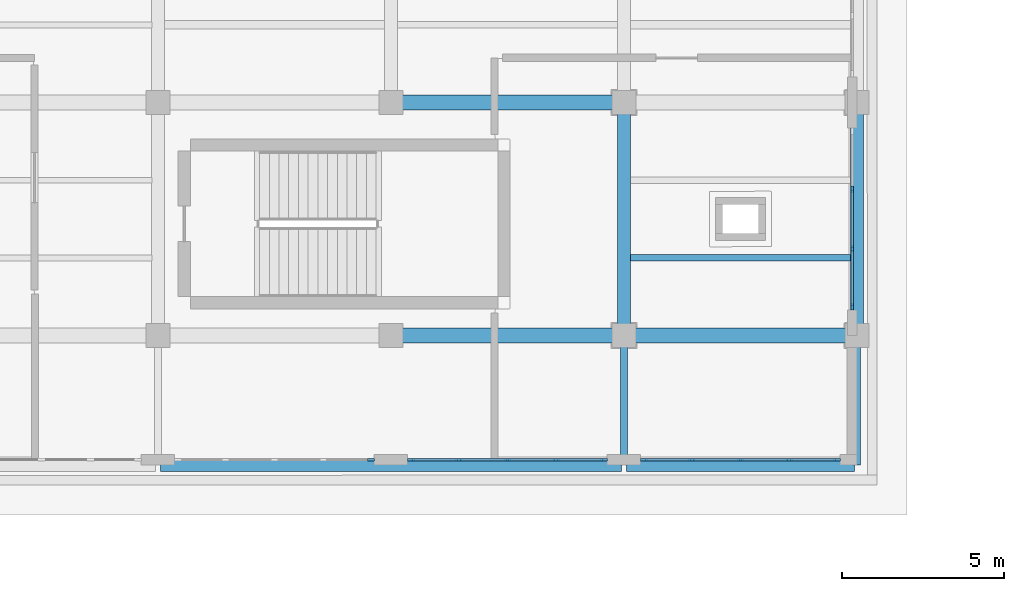
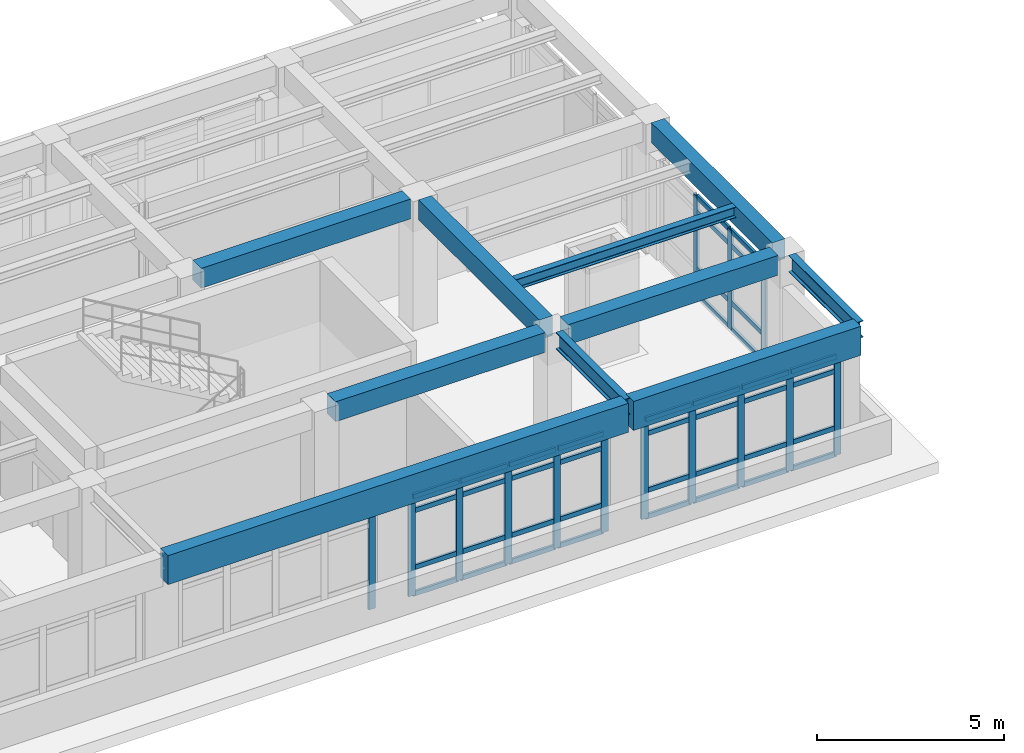
# One storey, part 12 of 64: 54 members, 10 beams, 4 elements without a shape of their own.
"""IFC4 building model written with IfcOpenShell, lengths in metres."""

import ifcopenshell
import ifcopenshell.guid

model = None  # the IFC model being written
_history = None  # IfcOwnerHistory: only IFC2X3 demands one
_inside = {}  # id of a spatial element -> (the spatial element, [elements in it])
_under = {}  # id of a project, library or spatial element -> (it, [spatial elements below it])
_declared = {}  # id of a project -> (the project, [libraries it declares])
_typed = {}  # id of a type object -> (the type object, [elements of that type])
_made_of = {}  # id of a material, layer set ... -> (it, [elements and type objects made of it])


def new_model(schema):
    """Start an empty IFC model of exactly this schema.

    Asked for "IFC4X3", IfcOpenShell would pick the latest addendum, in which some entities
    have other attributes; the version numbers below select the first issue.
    IFC2X3 requires an IfcOwnerHistory on every rooted entity: one is made here for all.
    """
    global model, _history
    if schema == "IFC4X3":
        model = ifcopenshell.file(schema_version=(4, 3, 0, 0))
    else:
        model = ifcopenshell.file(schema=schema)
    _inside.clear()
    _under.clear()
    _declared.clear()
    _typed.clear()
    _made_of.clear()
    _history = None
    if model.schema == "IFC2X3":
        org = make("IfcOrganization", Name="unknown")
        user = make(
            "IfcPersonAndOrganization",
            ThePerson=make("IfcPerson", FamilyName="unknown"),
            TheOrganization=org,
        )
        app = make(
            "IfcApplication",
            ApplicationDeveloper=org,
            Version="unknown",
            ApplicationFullName="unknown",
            ApplicationIdentifier="unknown",
        )
        _history = make(
            "IfcOwnerHistory",
            OwningUser=user,
            OwningApplication=app,
            ChangeAction="ADDED",
            CreationDate=0,
        )
    return model


def make(cls, **values):
    """One entity of the class cls with the attributes given. An attribute that is None is left unset."""
    return model.create_entity(
        cls, **{name: value for name, value in values.items() if value is not None}
    )


def rooted(cls, **values):
    """An entity with a GlobalId (a new one), such as an element, a storey or a relation."""
    return make(cls, GlobalId=ifcopenshell.guid.new(), OwnerHistory=_history, **values)


def si_unit(unit_type, name, prefix=None):
    """IfcSIUnit, for example si_unit("LENGTHUNIT", "METRE", prefix="MILLI")."""
    return make("IfcSIUnit", UnitType=unit_type, Prefix=prefix, Name=name)


def assignment(units):
    """IfcUnitAssignment: the units of a project."""
    return None if units is None else make("IfcUnitAssignment", Units=units)


def point(xyz):
    """IfcCartesianPoint."""
    return None if xyz is None else make("IfcCartesianPoint", Coordinates=xyz)


def direction(xyz):
    """IfcDirection."""
    return None if xyz is None else make("IfcDirection", DirectionRatios=xyz)


def frame(location, z_axis=None, x_axis=None):
    """IfcAxis2Placement3D, a coordinate frame: its origin and axes. An axis left out is left unset."""
    return make(
        "IfcAxis2Placement3D",
        Location=point(location),
        Axis=direction(z_axis),
        RefDirection=direction(x_axis),
    )


def frame_2d(location, x_axis=None):
    """IfcAxis2Placement2D, a coordinate frame in the plane: its origin and x axis."""
    return make(
        "IfcAxis2Placement2D", Location=point(location), RefDirection=direction(x_axis)
    )


def origin():
    """The frame at (0, 0, 0) with its axes left unset."""
    return frame((0.0, 0.0, 0.0))


def origin_2d():
    """The frame at (0, 0) in the plane with its x axis left unset."""
    return frame_2d((0.0, 0.0))


def place(relative_to, where):
    """IfcLocalPlacement: puts the frame where relative to a parent placement (None: the world)."""
    return make(
        "IfcLocalPlacement", PlacementRelTo=relative_to, RelativePlacement=where
    )


def context(
    kind, dimensions, precision=None, world=None, true_north=None, identifier=None
):
    """IfcGeometricRepresentationContext, for example the 3D "Model" context."""
    return make(
        "IfcGeometricRepresentationContext",
        ContextIdentifier=identifier,
        ContextType=kind,
        CoordinateSpaceDimension=dimensions,
        Precision=precision,
        WorldCoordinateSystem=world,
        TrueNorth=true_north,
    )


def subcontext(parent, identifier, kind, view, scale=None):
    """IfcGeometricRepresentationSubContext, for example "Body" below "Model"."""
    return make(
        "IfcGeometricRepresentationSubContext",
        ContextIdentifier=identifier,
        ContextType=kind,
        ParentContext=parent,
        TargetScale=scale,
        TargetView=view,
    )


def project(units=None, contexts=None):
    """IfcProject with its units and contexts."""
    return rooted(
        "IfcProject",
        Name="project",
        RepresentationContexts=contexts,
        UnitsInContext=assignment(units),
    )


def spatial(cls, under=None, at=None, **own):
    """A site, building, storey or space (cls), placed at a placement, below another one or the project."""
    s = rooted(cls, ObjectPlacement=at, **own)
    if under is not None:
        _under.setdefault(under.id(), (under, []))[1].append(s)
    return s


def profile(cls, at=None, kind="AREA", **sizes):
    """A parametric profile (cls). Its sizes go by their IFC names, for example OverallWidth=200.0."""
    return make(cls, ProfileType=kind, Position=at, **sizes)


def rectangle(**sizes):
    """IfcRectangleProfileDef."""
    return profile("IfcRectangleProfileDef", **sizes)


def i_section(**sizes):
    """IfcIShapeProfileDef."""
    return profile("IfcIShapeProfileDef", **sizes)


def extrude(swept, where, along, depth):
    """IfcExtrudedAreaSolid: the profile swept, set in the frame where, extruded along a direction by depth."""
    return make(
        "IfcExtrudedAreaSolid",
        SweptArea=swept,
        Position=where,
        ExtrudedDirection=direction(along),
        Depth=depth,
    )


def shape(context_of_items, identifier, shape_type, items):
    """IfcShapeRepresentation: the items that make up one representation, for example the "Body"."""
    return make(
        "IfcShapeRepresentation",
        ContextOfItems=context_of_items,
        RepresentationIdentifier=identifier,
        RepresentationType=shape_type,
        Items=items,
    )


def material(Name=None, Category=None):
    """IfcMaterial."""
    return make("IfcMaterial", Name=Name, Category=Category)


def layer(
    of_material, thickness, ventilated=None, Name=None, Category=None, Priority=None
):
    """IfcMaterialLayer: one layer of a wall or slab, of a material (None: an air gap)."""
    return make(
        "IfcMaterialLayer",
        Material=of_material,
        LayerThickness=thickness,
        IsVentilated=ventilated,
        Name=Name,
        Category=Category,
        Priority=Priority,
    )


def layer_set(layers, Name=None):
    """IfcMaterialLayerSet."""
    return make("IfcMaterialLayerSet", MaterialLayers=layers, LayerSetName=Name)


def material_profile(
    of_material, cross_section, Name=None, Category=None, Priority=None
):
    """IfcMaterialProfile: a cross section and its material."""
    return make(
        "IfcMaterialProfile",
        Name=Name,
        Material=of_material,
        Profile=cross_section,
        Priority=Priority,
        Category=Category,
    )


def profile_set(profiles, Name=None, composite=None):
    """IfcMaterialProfileSet."""
    return make(
        "IfcMaterialProfileSet",
        Name=Name,
        MaterialProfiles=profiles,
        CompositeProfile=composite,
    )


def made_of(thing, what):
    """Note that an element or type object is made of a material, layer set ...; save() writes the relation."""
    if what is not None:
        _made_of.setdefault(what.id(), (what, []))[1].append(thing)
    return thing


def type_object(cls, material=None, **own):
    """A type object (cls), such as IfcWallType, which elements share."""
    return made_of(rooted(cls, **own), material)


def element(
    cls,
    number,
    at=None,
    inside=None,
    cuts=None,
    type_object=None,
    material=None,
    context=None,
    identifier="Body",
    shape_type=None,
    held_by="IfcProductDefinitionShape",
    body=None,
    shapes=None,
    **own,
):
    """One element of the class cls, such as IfcWall. Its Tag is "e" and its number.

    at: its placement. inside: the storey or other place that contains it. cuts: it is an
    opening in that element (IfcRelVoidsElement). A single representation is given by context,
    identifier, shape_type and body (its items); several are given by shapes. held_by: the class
    of the entity that holds the representations. save() writes the other relations.
    """
    e = rooted(cls, Tag="e%d" % number, ObjectPlacement=at, **own)
    if body is not None:
        shapes = [shape(context, identifier, shape_type, body)]
    if shapes is not None:
        e.Representation = make(held_by, Representations=shapes)
    if inside is not None:
        _inside.setdefault(inside.id(), (inside, []))[1].append(e)
    if cuts is not None:
        rooted(
            "IfcRelVoidsElement", RelatingBuildingElement=cuts, RelatedOpeningElement=e
        )
    if type_object is not None:
        _typed.setdefault(type_object.id(), (type_object, []))[1].append(e)
    return made_of(e, material)


def aggregate(whole, parts):
    """IfcRelAggregates: a whole, such as a stair, and the parts it consists of."""
    return rooted("IfcRelAggregates", RelatingObject=whole, RelatedObjects=parts)


def save(model, path):
    """Write the relations noted so far, then the file.

    IfcRelAggregates (storeys below a building ...), IfcRelContainedInSpatialStructure (elements
    in a storey), IfcRelDefinesByType, IfcRelAssociatesMaterial and IfcRelDeclares: one each for
    every whole, place, type object, material and project.
    """
    for whole, parts in _under.values():
        aggregate(whole, parts)
    for where, things in _inside.values():
        rooted(
            "IfcRelContainedInSpatialStructure",
            RelatedElements=things,
            RelatingStructure=where,
        )
    for kind, things in _typed.values():
        rooted("IfcRelDefinesByType", RelatedObjects=things, RelatingType=kind)
    for what, things in _made_of.values():
        rooted("IfcRelAssociatesMaterial", RelatedObjects=things, RelatingMaterial=what)
    for by, libraries in _declared.values():
        rooted("IfcRelDeclares", RelatingContext=by, RelatedDefinitions=libraries)
    model.write(path)


model = new_model("IFC4")

# Units and contexts
model_context = context("Model", 3, precision=1e-05, world=origin(), true_north=direction((0.0, 1.0)))
body_context = subcontext(model_context, "Body", "Model", "MODEL_VIEW")
ifc_project = project(units=[si_unit("LENGTHUNIT", "METRE"), si_unit("AREAUNIT", "SQUARE_METRE"), si_unit("VOLUMEUNIT", "CUBIC_METRE"), si_unit("PLANEANGLEUNIT", "RADIAN"), si_unit("MASSUNIT", "GRAM", prefix="KILO")], contexts=[model_context])

# Site, building, storey
site_placement = place(None, origin())
site = spatial("IfcSite", under=ifc_project, at=site_placement, CompositionType="ELEMENT")
building_placement = place(site_placement, origin())
building = spatial("IfcBuilding", under=site, at=building_placement, Name="Solenvale Faculty of Natural Sciences", CompositionType="ELEMENT")
storey_placement = place(building_placement, frame((0.0, 0.0, 18.0)))
storey = spatial("IfcBuildingStorey", under=building, at=storey_placement, Name="L04", CompositionType="ELEMENT", Elevation=18.0)

# Beams
ifc_material_1 = material(Name="Concrete 40 MPa", Category="concrete")
ifc_material_profile_1 = material_profile(ifc_material_1, rectangle(XDim=0.39990234375, YDim=0.64990234375, at=origin_2d()), Name="RC-BM-400x650")
ifc_profile_set_1 = profile_set([ifc_material_profile_1], Name="Concrete 40 MPa")
beam_type_1 = type_object("IfcBeamType", Name="BM-RC-400x650", PredefinedType="BEAM", material=ifc_profile_set_1)
for number, where, z_axis, x_axis, name in (
    (1, (108.0, 21.955078125, 3.89501953125), (0.0, 1.0, 0.0), (-1.0, 0.0, 0.0), "L04 Y-Girder X108.0 (21.6..28.8)"),
    (2, (115.199951171875, 21.955078125, 3.89501953125), (0.0, 1.0, 0.0), (-1.0, 0.0, 0.0), "L04 Y-Girder X115.2 (21.6..28.8)"),
):
    element("IfcBeam", number, at=place(storey_placement, frame(where, z_axis=z_axis, x_axis=x_axis)), inside=storey, type_object=beam_type_1, Name=name, PredefinedType="BEAM", context=body_context, shape_type="SweptSolid", body=[
        extrude(rectangle(XDim=0.39990234375, YDim=0.64990234375, at=origin_2d()), origin(), (0.0, 0.0, 1.0), 6.489990234375),
    ])
ifc_material_profile_2 = material_profile(ifc_material_1, rectangle(XDim=0.449951171875, YDim=0.64990234375, at=origin_2d()), Name="RC-BM-450x650")
ifc_profile_set_2 = profile_set([ifc_material_profile_2], Name="Concrete 40 MPa")
beam_type_2 = type_object("IfcBeamType", Name="BM-RC-450x650", PredefinedType="BEAM", material=ifc_profile_set_2)
for number, where, z_axis, x_axis, name in (
    (3, (101.155029296875, 21.60009765625, 3.89501953125), (1.0, 0.0, 0.0), (0.0, 1.0, 0.0), "L04 X-Girder Y21.6 (100.8..108.0)"),
    (4, (108.35498046875, 21.60009765625, 3.89501953125), (1.0, 0.0, 0.0), (0.0, 1.0, 0.0), "L04 X-Girder Y21.6 (108.0..115.2)"),
    (5, (101.155029296875, 28.800048828125, 3.89501953125), (1.0, 0.0, 0.0), (0.0, 1.0, 0.0), "L04 X-Girder Y28.8 (100.8..108.0)"),
):
    element("IfcBeam", number, at=place(storey_placement, frame(where, z_axis=z_axis, x_axis=x_axis)), inside=storey, type_object=beam_type_2, Name=name, PredefinedType="BEAM", context=body_context, shape_type="SweptSolid", body=[
        extrude(rectangle(XDim=0.449951171875, YDim=0.64990234375, at=origin_2d()), origin(), (0.0, 0.0, 1.0), 6.489990234375),
    ])
ifc_material_2 = material(Name="Architectural bronze concrete 40 MPa", Category="concrete")
ifc_material_profile_3 = material_profile(ifc_material_2, rectangle(XDim=0.39990234375, YDim=0.949951171875, at=origin_2d()), Name="RC-SPN-400x950")
ifc_profile_set_3 = profile_set([ifc_material_profile_3], Name="Architectural bronze concrete 40 MPa")
beam_type_3 = type_object("IfcBeamType", Name="BM-SPN-BRZ-950", PredefinedType="SPANDREL", material=ifc_profile_set_3)
beam_1_placement = place(storey_placement, frame((93.679931640625, 17.60009765625, 3.7451171875), z_axis=(1.0, 0.0, 0.0), x_axis=(0.0, 1.0, 0.0)))
element("IfcBeam", 6, at=beam_1_placement, inside=storey, type_object=beam_type_3, Name="L05 Sliding-Tray South Bronze Fascia 5", PredefinedType="SPANDREL", context=body_context, shape_type="SweptSolid", body=[
    extrude(rectangle(XDim=0.39990234375, YDim=0.949951171875, at=origin_2d()), origin(), (0.0, 0.0, 1.0), 14.239990234375),
])
beam_2_placement = place(storey_placement, frame((108.080078125, 17.60009765625, 3.7451171875), z_axis=(1.0, 0.0, 0.0), x_axis=(0.0, 1.0, 0.0)))
element("IfcBeam", 7, at=beam_2_placement, inside=storey, type_object=beam_type_3, Name="L05 Sliding-Tray South Bronze Fascia 6", PredefinedType="SPANDREL", context=body_context, shape_type="SweptSolid", body=[
    extrude(rectangle(XDim=0.39990234375, YDim=0.949951171875, at=origin_2d()), origin(), (0.0, 0.0, 1.0), 7.0400390625),
])
ifc_material_3 = material(Name="Steel S355", Category="steel")
ifc_material_profile_4 = material_profile(ifc_material_3, i_section(OverallWidth=0.2041015625, OverallDepth=0.35009765625, WebThickness=0.008544921875, FlangeThickness=0.01513671875, FilletRadius=0.014892578125, at=origin_2d()), Name="W360x72")
ifc_profile_set_4 = profile_set([ifc_material_profile_4], Name="Steel S355")
beam_type_4 = type_object("IfcBeamType", Name="BM-STL-W360x72", PredefinedType="JOIST", material=ifc_profile_set_4)
beam_3_placement = place(storey_placement, frame((108.179931640625, 24.0, 4.044921875), z_axis=(1.0, 0.0, 0.0), x_axis=(0.0, 1.0, 0.0)))
element("IfcBeam", 8, at=beam_3_placement, inside=storey, type_object=beam_type_4, Name="L04 Composite Floor Joist (16,4).1", PredefinedType="JOIST", context=body_context, shape_type="SweptSolid", body=[
    extrude(i_section(OverallWidth=0.2041015625, OverallDepth=0.35009765625, WebThickness=0.008544921875, FlangeThickness=0.01513671875, FilletRadius=0.014892578125, at=origin_2d()), origin(), (0.0, 0.0, 1.0), 6.840087890625),
])
ifc_material_profile_5 = material_profile(ifc_material_3, i_section(OverallWidth=0.2119140625, OverallDepth=0.5439453125, WebThickness=0.01318359375, FlangeThickness=0.021240234375, FilletRadius=0.01904296875, at=origin_2d()), Name="W530x123")
ifc_profile_set_5 = profile_set([ifc_material_profile_5], Name="Steel S355")
beam_type_5 = type_object("IfcBeamType", Name="BM-STL-W530x123", PredefinedType="BEAM", material=ifc_profile_set_5)
for number, where, z_axis, x_axis, name in (
    (9, (108.0, 21.2451171875, 3.947998046875), (0.0, -1.0, 0.0), (1.0, 0.0, 0.0), "L04 V4 Cantilever Tray Girder X108.0"),
    (10, (115.199951171875, 21.2451171875, 3.947998046875), (0.0, -1.0, 0.0), (1.0, 0.0, 0.0), "L04 V4 Cantilever Tray Girder X115.2"),
):
    element("IfcBeam", number, at=place(storey_placement, frame(where, z_axis=z_axis, x_axis=x_axis)), inside=storey, type_object=beam_type_5, Name=name, PredefinedType="BEAM", context=body_context, shape_type="SweptSolid", body=[
        extrude(i_section(OverallWidth=0.2119140625, OverallDepth=0.5439453125, WebThickness=0.01318359375, FlangeThickness=0.021240234375, FilletRadius=0.01904296875, at=origin_2d()), origin(), (0.0, 0.0, 1.0), 3.64501953125),
    ])

# Curtain wall, member
ifc_material_4 = material(Name="Anodised bronze aluminium", Category="aluminium")
ifc_layer_1 = layer(ifc_material_4, 0.18994140625)
ifc_layer_set_1 = layer_set([ifc_layer_1], Name="Anodised bronze aluminium")
curtain_wall_type_1 = type_object("IfcCurtainWallType", Name="CW-TRAY-REC", PredefinedType="USERDEFINED", material=ifc_layer_set_1)
curtain_wall_1_placement = place(storey_placement, origin())
curtain_wall_1 = element("IfcCurtainWall", 11, at=curtain_wall_1_placement, inside=storey, type_object=curtain_wall_type_1, Name="L04 Curtain Wall CW-L04-P1-E6-B6", ObjectType="UNITISED CURTAIN WALL", PredefinedType="USERDEFINED")
ifc_material_profile_6 = material_profile(ifc_material_4, rectangle(XDim=0.074951171875, YDim=0.2099609375, at=origin_2d()), Name="ALU-MUL-75x210")
ifc_profile_set_6 = profile_set([ifc_material_profile_6], Name="Anodised bronze aluminium")
member_type_1 = type_object("IfcMemberType", Name="CWM-ALU-75x210", PredefinedType="MULLION", material=ifc_profile_set_6)
member_1_placement = place(storey_placement, frame((100.1826171875, 17.762451171875, 0.0), z_axis=(0.0, 0.0, 1.0), x_axis=(0.0, 1.0, 0.0)))
member_1 = element("IfcMember", 12, at=member_1_placement, type_object=member_type_1, Name="CW-02 mullion 5", PredefinedType="MULLION", context=body_context, shape_type="SweptSolid", body=[
    extrude(rectangle(XDim=0.074951171875, YDim=0.2099609375, at=origin_2d()), origin(), (0.0, 0.0, 1.0), 3.260009765625),
])
aggregate(curtain_wall_1, [member_1])

# Curtain wall, members
curtain_wall_2_placement = place(storey_placement, origin())
curtain_wall_2 = element("IfcCurtainWall", 13, at=curtain_wall_2_placement, inside=storey, type_object=curtain_wall_type_1, Name="L04 Curtain Wall CW-L04-P1-E6-B7", ObjectType="UNITISED CURTAIN WALL", PredefinedType="USERDEFINED")
member_2_placement = place(storey_placement, frame((101.41748046875, 17.762451171875, 0.0), z_axis=(0.0, 0.0, 1.0), x_axis=(0.0, 1.0, 0.0)))
member_2 = element("IfcMember", 14, at=member_2_placement, type_object=member_type_1, Name="CW-02 mullion 1", PredefinedType="MULLION", context=body_context, shape_type="SweptSolid", body=[
    extrude(rectangle(XDim=0.074951171875, YDim=0.2099609375, at=origin_2d()), origin(), (0.0, 0.0, 1.0), 3.260009765625),
])
member_3_placement = place(storey_placement, frame((102.889892578125, 17.762451171875, 0.0), z_axis=(0.0, 0.0, 1.0), x_axis=(0.0, 1.0, 0.0)))
member_3 = element("IfcMember", 15, at=member_3_placement, type_object=member_type_1, Name="CW-02 mullion 2", PredefinedType="MULLION", context=body_context, shape_type="SweptSolid", body=[
    extrude(rectangle(XDim=0.074951171875, YDim=0.2099609375, at=origin_2d()), origin(), (0.0, 0.0, 1.0), 3.260009765625),
])
member_4_placement = place(storey_placement, frame((104.39990234375, 17.762451171875, 0.0), z_axis=(0.0, 0.0, 1.0), x_axis=(0.0, 1.0, 0.0)))
member_4 = element("IfcMember", 16, at=member_4_placement, type_object=member_type_1, Name="CW-02 mullion 3", PredefinedType="MULLION", context=body_context, shape_type="SweptSolid", body=[
    extrude(rectangle(XDim=0.074951171875, YDim=0.2099609375, at=origin_2d()), origin(), (0.0, 0.0, 1.0), 3.260009765625),
])
member_5_placement = place(storey_placement, frame((105.909912109375, 17.762451171875, 0.0), z_axis=(0.0, 0.0, 1.0), x_axis=(0.0, 1.0, 0.0)))
member_5 = element("IfcMember", 17, at=member_5_placement, type_object=member_type_1, Name="CW-02 mullion 4", PredefinedType="MULLION", context=body_context, shape_type="SweptSolid", body=[
    extrude(rectangle(XDim=0.074951171875, YDim=0.2099609375, at=origin_2d()), origin(), (0.0, 0.0, 1.0), 3.260009765625),
])
member_6_placement = place(storey_placement, frame((107.382568359375, 17.762451171875, 0.0), z_axis=(0.0, 0.0, 1.0), x_axis=(0.0, 1.0, 0.0)))
member_6 = element("IfcMember", 18, at=member_6_placement, type_object=member_type_1, Name="CW-02 mullion 5", PredefinedType="MULLION", context=body_context, shape_type="SweptSolid", body=[
    extrude(rectangle(XDim=0.074951171875, YDim=0.2099609375, at=origin_2d()), origin(), (0.0, 0.0, 1.0), 3.260009765625),
])

curtain_wall_3_placement = place(storey_placement, origin())
curtain_wall_3 = element("IfcCurtainWall", 19, at=curtain_wall_3_placement, inside=storey, type_object=curtain_wall_type_1, Name="L04 Curtain Wall CW-L04-P1-E6-B8", ObjectType="UNITISED CURTAIN WALL", PredefinedType="USERDEFINED")
member_7_placement = place(storey_placement, frame((108.617431640625, 17.762451171875, 0.0), z_axis=(0.0, 0.0, 1.0), x_axis=(0.0, 1.0, 0.0)))
member_7 = element("IfcMember", 20, at=member_7_placement, type_object=member_type_1, Name="CW-02 mullion 1", PredefinedType="MULLION", context=body_context, shape_type="SweptSolid", body=[
    extrude(rectangle(XDim=0.074951171875, YDim=0.2099609375, at=origin_2d()), origin(), (0.0, 0.0, 1.0), 3.260009765625),
])
member_8_placement = place(storey_placement, frame((110.090087890625, 17.762451171875, 0.0), z_axis=(0.0, 0.0, 1.0), x_axis=(0.0, 1.0, 0.0)))
member_8 = element("IfcMember", 21, at=member_8_placement, type_object=member_type_1, Name="CW-02 mullion 2", PredefinedType="MULLION", context=body_context, shape_type="SweptSolid", body=[
    extrude(rectangle(XDim=0.074951171875, YDim=0.2099609375, at=origin_2d()), origin(), (0.0, 0.0, 1.0), 3.260009765625),
])
member_9_placement = place(storey_placement, frame((111.60009765625, 17.762451171875, 0.0), z_axis=(0.0, 0.0, 1.0), x_axis=(0.0, 1.0, 0.0)))
member_9 = element("IfcMember", 22, at=member_9_placement, type_object=member_type_1, Name="CW-02 mullion 3", PredefinedType="MULLION", context=body_context, shape_type="SweptSolid", body=[
    extrude(rectangle(XDim=0.074951171875, YDim=0.2099609375, at=origin_2d()), origin(), (0.0, 0.0, 1.0), 3.260009765625),
])
member_10_placement = place(storey_placement, frame((113.110107421875, 17.762451171875, 0.0), z_axis=(0.0, 0.0, 1.0), x_axis=(0.0, 1.0, 0.0)))
member_10 = element("IfcMember", 23, at=member_10_placement, type_object=member_type_1, Name="CW-02 mullion 4", PredefinedType="MULLION", context=body_context, shape_type="SweptSolid", body=[
    extrude(rectangle(XDim=0.074951171875, YDim=0.2099609375, at=origin_2d()), origin(), (0.0, 0.0, 1.0), 3.260009765625),
])
member_11_placement = place(storey_placement, frame((114.58251953125, 17.762451171875, 0.0), z_axis=(0.0, 0.0, 1.0), x_axis=(0.0, 1.0, 0.0)))
member_11 = element("IfcMember", 24, at=member_11_placement, type_object=member_type_1, Name="CW-02 mullion 5", PredefinedType="MULLION", context=body_context, shape_type="SweptSolid", body=[
    extrude(rectangle(XDim=0.074951171875, YDim=0.2099609375, at=origin_2d()), origin(), (0.0, 0.0, 1.0), 3.260009765625),
])

ifc_layer_2 = layer(ifc_material_4, 0.179931640625)
ifc_layer_set_2 = layer_set([ifc_layer_2], Name="Anodised bronze aluminium")
curtain_wall_type_2 = type_object("IfcCurtainWallType", Name="CW-TWR-MOD", PredefinedType="USERDEFINED", material=ifc_layer_set_2)
curtain_wall_4_placement = place(storey_placement, origin())
curtain_wall_4 = element("IfcCurtainWall", 25, at=curtain_wall_4_placement, inside=storey, type_object=curtain_wall_type_2, Name="L04 Curtain Wall CW-L04-P1-E7-B2", ObjectType="UNITISED CURTAIN WALL", PredefinedType="USERDEFINED")
member_12_placement = place(storey_placement, frame((115.0576171875, 22.487548828125, 0.0), z_axis=(0.0, 0.0, 1.0), x_axis=(-1.0, 0.0, 0.0)))
member_12 = element("IfcMember", 26, at=member_12_placement, type_object=member_type_1, Name="CW-04 mullion 1", PredefinedType="MULLION", context=body_context, shape_type="SweptSolid", body=[
    extrude(rectangle(XDim=0.074951171875, YDim=0.2099609375, at=origin_2d()), origin(), (0.0, 0.0, 1.0), 3.260009765625),
])
member_13_placement = place(storey_placement, frame((115.0576171875, 24.283447265625, 0.0), z_axis=(0.0, 0.0, 1.0), x_axis=(-1.0, 0.0, 0.0)))
member_13 = element("IfcMember", 27, at=member_13_placement, type_object=member_type_1, Name="CW-04 mullion 2", PredefinedType="MULLION", context=body_context, shape_type="SweptSolid", body=[
    extrude(rectangle(XDim=0.074951171875, YDim=0.2099609375, at=origin_2d()), origin(), (0.0, 0.0, 1.0), 3.260009765625),
])
member_14_placement = place(storey_placement, frame((115.0576171875, 26.11669921875, 0.0), z_axis=(0.0, 0.0, 1.0), x_axis=(-1.0, 0.0, 0.0)))
member_14 = element("IfcMember", 28, at=member_14_placement, type_object=member_type_1, Name="CW-04 mullion 3", PredefinedType="MULLION", context=body_context, shape_type="SweptSolid", body=[
    extrude(rectangle(XDim=0.074951171875, YDim=0.2099609375, at=origin_2d()), origin(), (0.0, 0.0, 1.0), 3.260009765625),
])

# Member
ifc_material_profile_7 = material_profile(ifc_material_4, rectangle(XDim=0.074951171875, YDim=0.155029296875, at=origin_2d()), Name="ALU-TRN-75x155")
ifc_profile_set_7 = profile_set([ifc_material_profile_7], Name="Anodised bronze aluminium")
member_type_2 = type_object("IfcMemberType", Name="CWT-ALU-75x155", PredefinedType="USERDEFINED", material=ifc_profile_set_7)
member_15_placement = place(storey_placement, frame((101.455078125, 17.762451171875, 0.03759765625), z_axis=(1.0, 0.0, 0.0), x_axis=(0.0, 1.0, 0.0)))
member_15 = element("IfcMember", 29, at=member_15_placement, type_object=member_type_2, Name="CW-02 transom 1.1", ObjectType="TRANSOM", PredefinedType="USERDEFINED", context=body_context, shape_type="SweptSolid", body=[
    extrude(rectangle(XDim=0.074951171875, YDim=0.155029296875, at=origin_2d()), origin(), (0.0, 0.0, 1.0), 1.3974609375),
])

member_16_placement = place(storey_placement, frame((101.455078125, 17.762451171875, 0.89990234375), z_axis=(1.0, 0.0, 0.0), x_axis=(0.0, 1.0, 0.0)))
member_16 = element("IfcMember", 30, at=member_16_placement, type_object=member_type_2, Name="CW-02 transom 1.2", ObjectType="TRANSOM", PredefinedType="USERDEFINED", context=body_context, shape_type="SweptSolid", body=[
    extrude(rectangle(XDim=0.074951171875, YDim=0.155029296875, at=origin_2d()), origin(), (0.0, 0.0, 1.0), 1.3974609375),
])

member_17_placement = place(storey_placement, frame((101.455078125, 17.762451171875, 2.760009765625), z_axis=(1.0, 0.0, 0.0), x_axis=(0.0, 1.0, 0.0)))
member_17 = element("IfcMember", 31, at=member_17_placement, type_object=member_type_2, Name="CW-02 transom 1.3", ObjectType="TRANSOM", PredefinedType="USERDEFINED", context=body_context, shape_type="SweptSolid", body=[
    extrude(rectangle(XDim=0.074951171875, YDim=0.155029296875, at=origin_2d()), origin(), (0.0, 0.0, 1.0), 1.3974609375),
])

member_18_placement = place(storey_placement, frame((101.455078125, 17.762451171875, 3.222412109375), z_axis=(1.0, 0.0, 0.0), x_axis=(0.0, 1.0, 0.0)))
member_18 = element("IfcMember", 32, at=member_18_placement, type_object=member_type_2, Name="CW-02 transom 1.4", ObjectType="TRANSOM", PredefinedType="USERDEFINED", context=body_context, shape_type="SweptSolid", body=[
    extrude(rectangle(XDim=0.074951171875, YDim=0.155029296875, at=origin_2d()), origin(), (0.0, 0.0, 1.0), 1.3974609375),
])

member_19_placement = place(storey_placement, frame((102.927490234375, 17.762451171875, 0.03759765625), z_axis=(1.0, 0.0, 0.0), x_axis=(0.0, 1.0, 0.0)))
member_19 = element("IfcMember", 33, at=member_19_placement, type_object=member_type_2, Name="CW-02 transom 2.1", ObjectType="TRANSOM", PredefinedType="USERDEFINED", context=body_context, shape_type="SweptSolid", body=[
    extrude(rectangle(XDim=0.074951171875, YDim=0.155029296875, at=origin_2d()), origin(), (0.0, 0.0, 1.0), 1.43505859375),
])

member_20_placement = place(storey_placement, frame((102.927490234375, 17.762451171875, 0.89990234375), z_axis=(1.0, 0.0, 0.0), x_axis=(0.0, 1.0, 0.0)))
member_20 = element("IfcMember", 34, at=member_20_placement, type_object=member_type_2, Name="CW-02 transom 2.2", ObjectType="TRANSOM", PredefinedType="USERDEFINED", context=body_context, shape_type="SweptSolid", body=[
    extrude(rectangle(XDim=0.074951171875, YDim=0.155029296875, at=origin_2d()), origin(), (0.0, 0.0, 1.0), 1.43505859375),
])

member_21_placement = place(storey_placement, frame((102.927490234375, 17.762451171875, 2.760009765625), z_axis=(1.0, 0.0, 0.0), x_axis=(0.0, 1.0, 0.0)))
member_21 = element("IfcMember", 35, at=member_21_placement, type_object=member_type_2, Name="CW-02 transom 2.3", ObjectType="TRANSOM", PredefinedType="USERDEFINED", context=body_context, shape_type="SweptSolid", body=[
    extrude(rectangle(XDim=0.074951171875, YDim=0.155029296875, at=origin_2d()), origin(), (0.0, 0.0, 1.0), 1.43505859375),
])

member_22_placement = place(storey_placement, frame((102.927490234375, 17.762451171875, 3.222412109375), z_axis=(1.0, 0.0, 0.0), x_axis=(0.0, 1.0, 0.0)))
member_22 = element("IfcMember", 36, at=member_22_placement, type_object=member_type_2, Name="CW-02 transom 2.4", ObjectType="TRANSOM", PredefinedType="USERDEFINED", context=body_context, shape_type="SweptSolid", body=[
    extrude(rectangle(XDim=0.074951171875, YDim=0.155029296875, at=origin_2d()), origin(), (0.0, 0.0, 1.0), 1.43505859375),
])

member_23_placement = place(storey_placement, frame((104.4375, 17.762451171875, 0.03759765625), z_axis=(1.0, 0.0, 0.0), x_axis=(0.0, 1.0, 0.0)))
member_23 = element("IfcMember", 37, at=member_23_placement, type_object=member_type_2, Name="CW-02 transom 3.1", ObjectType="TRANSOM", PredefinedType="USERDEFINED", context=body_context, shape_type="SweptSolid", body=[
    extrude(rectangle(XDim=0.074951171875, YDim=0.155029296875, at=origin_2d()), origin(), (0.0, 0.0, 1.0), 1.43505859375),
])

member_24_placement = place(storey_placement, frame((104.4375, 17.762451171875, 0.89990234375), z_axis=(1.0, 0.0, 0.0), x_axis=(0.0, 1.0, 0.0)))
member_24 = element("IfcMember", 38, at=member_24_placement, type_object=member_type_2, Name="CW-02 transom 3.2", ObjectType="TRANSOM", PredefinedType="USERDEFINED", context=body_context, shape_type="SweptSolid", body=[
    extrude(rectangle(XDim=0.074951171875, YDim=0.155029296875, at=origin_2d()), origin(), (0.0, 0.0, 1.0), 1.43505859375),
])

member_25_placement = place(storey_placement, frame((104.4375, 17.762451171875, 2.760009765625), z_axis=(1.0, 0.0, 0.0), x_axis=(0.0, 1.0, 0.0)))
member_25 = element("IfcMember", 39, at=member_25_placement, type_object=member_type_2, Name="CW-02 transom 3.3", ObjectType="TRANSOM", PredefinedType="USERDEFINED", context=body_context, shape_type="SweptSolid", body=[
    extrude(rectangle(XDim=0.074951171875, YDim=0.155029296875, at=origin_2d()), origin(), (0.0, 0.0, 1.0), 1.43505859375),
])

member_26_placement = place(storey_placement, frame((104.4375, 17.762451171875, 3.222412109375), z_axis=(1.0, 0.0, 0.0), x_axis=(0.0, 1.0, 0.0)))
member_26 = element("IfcMember", 40, at=member_26_placement, type_object=member_type_2, Name="CW-02 transom 3.4", ObjectType="TRANSOM", PredefinedType="USERDEFINED", context=body_context, shape_type="SweptSolid", body=[
    extrude(rectangle(XDim=0.074951171875, YDim=0.155029296875, at=origin_2d()), origin(), (0.0, 0.0, 1.0), 1.43505859375),
])

member_27_placement = place(storey_placement, frame((105.947509765625, 17.762451171875, 0.03759765625), z_axis=(1.0, 0.0, 0.0), x_axis=(0.0, 1.0, 0.0)))
member_27 = element("IfcMember", 41, at=member_27_placement, type_object=member_type_2, Name="CW-02 transom 4.1", ObjectType="TRANSOM", PredefinedType="USERDEFINED", context=body_context, shape_type="SweptSolid", body=[
    extrude(rectangle(XDim=0.074951171875, YDim=0.155029296875, at=origin_2d()), origin(), (0.0, 0.0, 1.0), 1.3974609375),
])

member_28_placement = place(storey_placement, frame((105.947509765625, 17.762451171875, 0.89990234375), z_axis=(1.0, 0.0, 0.0), x_axis=(0.0, 1.0, 0.0)))
member_28 = element("IfcMember", 42, at=member_28_placement, type_object=member_type_2, Name="CW-02 transom 4.2", ObjectType="TRANSOM", PredefinedType="USERDEFINED", context=body_context, shape_type="SweptSolid", body=[
    extrude(rectangle(XDim=0.074951171875, YDim=0.155029296875, at=origin_2d()), origin(), (0.0, 0.0, 1.0), 1.3974609375),
])

member_29_placement = place(storey_placement, frame((105.947509765625, 17.762451171875, 2.760009765625), z_axis=(1.0, 0.0, 0.0), x_axis=(0.0, 1.0, 0.0)))
member_29 = element("IfcMember", 43, at=member_29_placement, type_object=member_type_2, Name="CW-02 transom 4.3", ObjectType="TRANSOM", PredefinedType="USERDEFINED", context=body_context, shape_type="SweptSolid", body=[
    extrude(rectangle(XDim=0.074951171875, YDim=0.155029296875, at=origin_2d()), origin(), (0.0, 0.0, 1.0), 1.3974609375),
])

member_30_placement = place(storey_placement, frame((105.947509765625, 17.762451171875, 3.222412109375), z_axis=(1.0, 0.0, 0.0), x_axis=(0.0, 1.0, 0.0)))
member_30 = element("IfcMember", 44, at=member_30_placement, type_object=member_type_2, Name="CW-02 transom 4.4", ObjectType="TRANSOM", PredefinedType="USERDEFINED", context=body_context, shape_type="SweptSolid", body=[
    extrude(rectangle(XDim=0.074951171875, YDim=0.155029296875, at=origin_2d()), origin(), (0.0, 0.0, 1.0), 1.3974609375),
])

aggregate(curtain_wall_2, [member_2, member_3, member_4, member_5, member_6, member_15, member_16, member_17, member_18, member_19, member_20, member_21, member_22, member_23, member_24, member_25, member_26, member_27, member_28, member_29, member_30])

member_31_placement = place(storey_placement, frame((108.655029296875, 17.762451171875, 0.03759765625), z_axis=(1.0, 0.0, 0.0), x_axis=(0.0, 1.0, 0.0)))
member_31 = element("IfcMember", 45, at=member_31_placement, type_object=member_type_2, Name="CW-02 transom 1.1", ObjectType="TRANSOM", PredefinedType="USERDEFINED", context=body_context, shape_type="SweptSolid", body=[
    extrude(rectangle(XDim=0.074951171875, YDim=0.155029296875, at=origin_2d()), origin(), (0.0, 0.0, 1.0), 1.3974609375),
])

member_32_placement = place(storey_placement, frame((108.655029296875, 17.762451171875, 0.89990234375), z_axis=(1.0, 0.0, 0.0), x_axis=(0.0, 1.0, 0.0)))
member_32 = element("IfcMember", 46, at=member_32_placement, type_object=member_type_2, Name="CW-02 transom 1.2", ObjectType="TRANSOM", PredefinedType="USERDEFINED", context=body_context, shape_type="SweptSolid", body=[
    extrude(rectangle(XDim=0.074951171875, YDim=0.155029296875, at=origin_2d()), origin(), (0.0, 0.0, 1.0), 1.3974609375),
])

member_33_placement = place(storey_placement, frame((108.655029296875, 17.762451171875, 2.760009765625), z_axis=(1.0, 0.0, 0.0), x_axis=(0.0, 1.0, 0.0)))
member_33 = element("IfcMember", 47, at=member_33_placement, type_object=member_type_2, Name="CW-02 transom 1.3", ObjectType="TRANSOM", PredefinedType="USERDEFINED", context=body_context, shape_type="SweptSolid", body=[
    extrude(rectangle(XDim=0.074951171875, YDim=0.155029296875, at=origin_2d()), origin(), (0.0, 0.0, 1.0), 1.3974609375),
])

member_34_placement = place(storey_placement, frame((108.655029296875, 17.762451171875, 3.222412109375), z_axis=(1.0, 0.0, 0.0), x_axis=(0.0, 1.0, 0.0)))
member_34 = element("IfcMember", 48, at=member_34_placement, type_object=member_type_2, Name="CW-02 transom 1.4", ObjectType="TRANSOM", PredefinedType="USERDEFINED", context=body_context, shape_type="SweptSolid", body=[
    extrude(rectangle(XDim=0.074951171875, YDim=0.155029296875, at=origin_2d()), origin(), (0.0, 0.0, 1.0), 1.3974609375),
])

member_35_placement = place(storey_placement, frame((110.12744140625, 17.762451171875, 0.03759765625), z_axis=(1.0, 0.0, 0.0), x_axis=(0.0, 1.0, 0.0)))
member_35 = element("IfcMember", 49, at=member_35_placement, type_object=member_type_2, Name="CW-02 transom 2.1", ObjectType="TRANSOM", PredefinedType="USERDEFINED", context=body_context, shape_type="SweptSolid", body=[
    extrude(rectangle(XDim=0.074951171875, YDim=0.155029296875, at=origin_2d()), origin(), (0.0, 0.0, 1.0), 1.43505859375),
])

member_36_placement = place(storey_placement, frame((110.12744140625, 17.762451171875, 0.89990234375), z_axis=(1.0, 0.0, 0.0), x_axis=(0.0, 1.0, 0.0)))
member_36 = element("IfcMember", 50, at=member_36_placement, type_object=member_type_2, Name="CW-02 transom 2.2", ObjectType="TRANSOM", PredefinedType="USERDEFINED", context=body_context, shape_type="SweptSolid", body=[
    extrude(rectangle(XDim=0.074951171875, YDim=0.155029296875, at=origin_2d()), origin(), (0.0, 0.0, 1.0), 1.43505859375),
])

member_37_placement = place(storey_placement, frame((110.12744140625, 17.762451171875, 2.760009765625), z_axis=(1.0, 0.0, 0.0), x_axis=(0.0, 1.0, 0.0)))
member_37 = element("IfcMember", 51, at=member_37_placement, type_object=member_type_2, Name="CW-02 transom 2.3", ObjectType="TRANSOM", PredefinedType="USERDEFINED", context=body_context, shape_type="SweptSolid", body=[
    extrude(rectangle(XDim=0.074951171875, YDim=0.155029296875, at=origin_2d()), origin(), (0.0, 0.0, 1.0), 1.43505859375),
])

member_38_placement = place(storey_placement, frame((110.12744140625, 17.762451171875, 3.222412109375), z_axis=(1.0, 0.0, 0.0), x_axis=(0.0, 1.0, 0.0)))
member_38 = element("IfcMember", 52, at=member_38_placement, type_object=member_type_2, Name="CW-02 transom 2.4", ObjectType="TRANSOM", PredefinedType="USERDEFINED", context=body_context, shape_type="SweptSolid", body=[
    extrude(rectangle(XDim=0.074951171875, YDim=0.155029296875, at=origin_2d()), origin(), (0.0, 0.0, 1.0), 1.43505859375),
])

member_39_placement = place(storey_placement, frame((111.637451171875, 17.762451171875, 0.03759765625), z_axis=(1.0, 0.0, 0.0), x_axis=(0.0, 1.0, 0.0)))
member_39 = element("IfcMember", 53, at=member_39_placement, type_object=member_type_2, Name="CW-02 transom 3.1", ObjectType="TRANSOM", PredefinedType="USERDEFINED", context=body_context, shape_type="SweptSolid", body=[
    extrude(rectangle(XDim=0.074951171875, YDim=0.155029296875, at=origin_2d()), origin(), (0.0, 0.0, 1.0), 1.43505859375),
])

member_40_placement = place(storey_placement, frame((111.637451171875, 17.762451171875, 0.89990234375), z_axis=(1.0, 0.0, 0.0), x_axis=(0.0, 1.0, 0.0)))
member_40 = element("IfcMember", 54, at=member_40_placement, type_object=member_type_2, Name="CW-02 transom 3.2", ObjectType="TRANSOM", PredefinedType="USERDEFINED", context=body_context, shape_type="SweptSolid", body=[
    extrude(rectangle(XDim=0.074951171875, YDim=0.155029296875, at=origin_2d()), origin(), (0.0, 0.0, 1.0), 1.43505859375),
])

member_41_placement = place(storey_placement, frame((111.637451171875, 17.762451171875, 2.760009765625), z_axis=(1.0, 0.0, 0.0), x_axis=(0.0, 1.0, 0.0)))
member_41 = element("IfcMember", 55, at=member_41_placement, type_object=member_type_2, Name="CW-02 transom 3.3", ObjectType="TRANSOM", PredefinedType="USERDEFINED", context=body_context, shape_type="SweptSolid", body=[
    extrude(rectangle(XDim=0.074951171875, YDim=0.155029296875, at=origin_2d()), origin(), (0.0, 0.0, 1.0), 1.43505859375),
])

member_42_placement = place(storey_placement, frame((111.637451171875, 17.762451171875, 3.222412109375), z_axis=(1.0, 0.0, 0.0), x_axis=(0.0, 1.0, 0.0)))
member_42 = element("IfcMember", 56, at=member_42_placement, type_object=member_type_2, Name="CW-02 transom 3.4", ObjectType="TRANSOM", PredefinedType="USERDEFINED", context=body_context, shape_type="SweptSolid", body=[
    extrude(rectangle(XDim=0.074951171875, YDim=0.155029296875, at=origin_2d()), origin(), (0.0, 0.0, 1.0), 1.43505859375),
])

member_43_placement = place(storey_placement, frame((113.1474609375, 17.762451171875, 0.03759765625), z_axis=(1.0, 0.0, 0.0), x_axis=(0.0, 1.0, 0.0)))
member_43 = element("IfcMember", 57, at=member_43_placement, type_object=member_type_2, Name="CW-02 transom 4.1", ObjectType="TRANSOM", PredefinedType="USERDEFINED", context=body_context, shape_type="SweptSolid", body=[
    extrude(rectangle(XDim=0.074951171875, YDim=0.155029296875, at=origin_2d()), origin(), (0.0, 0.0, 1.0), 1.3974609375),
])

member_44_placement = place(storey_placement, frame((113.1474609375, 17.762451171875, 0.89990234375), z_axis=(1.0, 0.0, 0.0), x_axis=(0.0, 1.0, 0.0)))
member_44 = element("IfcMember", 58, at=member_44_placement, type_object=member_type_2, Name="CW-02 transom 4.2", ObjectType="TRANSOM", PredefinedType="USERDEFINED", context=body_context, shape_type="SweptSolid", body=[
    extrude(rectangle(XDim=0.074951171875, YDim=0.155029296875, at=origin_2d()), origin(), (0.0, 0.0, 1.0), 1.3974609375),
])

member_45_placement = place(storey_placement, frame((113.1474609375, 17.762451171875, 2.760009765625), z_axis=(1.0, 0.0, 0.0), x_axis=(0.0, 1.0, 0.0)))
member_45 = element("IfcMember", 59, at=member_45_placement, type_object=member_type_2, Name="CW-02 transom 4.3", ObjectType="TRANSOM", PredefinedType="USERDEFINED", context=body_context, shape_type="SweptSolid", body=[
    extrude(rectangle(XDim=0.074951171875, YDim=0.155029296875, at=origin_2d()), origin(), (0.0, 0.0, 1.0), 1.3974609375),
])

member_46_placement = place(storey_placement, frame((113.1474609375, 17.762451171875, 3.222412109375), z_axis=(1.0, 0.0, 0.0), x_axis=(0.0, 1.0, 0.0)))
member_46 = element("IfcMember", 60, at=member_46_placement, type_object=member_type_2, Name="CW-02 transom 4.4", ObjectType="TRANSOM", PredefinedType="USERDEFINED", context=body_context, shape_type="SweptSolid", body=[
    extrude(rectangle(XDim=0.074951171875, YDim=0.155029296875, at=origin_2d()), origin(), (0.0, 0.0, 1.0), 1.3974609375),
])

aggregate(curtain_wall_3, [member_7, member_8, member_9, member_10, member_11, member_31, member_32, member_33, member_34, member_35, member_36, member_37, member_38, member_39, member_40, member_41, member_42, member_43, member_44, member_45, member_46])

member_47_placement = place(storey_placement, frame((115.0576171875, 22.52490234375, 0.03759765625), z_axis=(0.0, 1.0, 0.0), x_axis=(-1.0, 0.0, 0.0)))
member_47 = element("IfcMember", 61, at=member_47_placement, type_object=member_type_2, Name="CW-04 transom 1.1", ObjectType="TRANSOM", PredefinedType="USERDEFINED", context=body_context, shape_type="SweptSolid", body=[
    extrude(rectangle(XDim=0.074951171875, YDim=0.155029296875, at=origin_2d()), origin(), (0.0, 0.0, 1.0), 1.720947265625),
])

member_48_placement = place(storey_placement, frame((115.0576171875, 22.52490234375, 0.89990234375), z_axis=(0.0, 1.0, 0.0), x_axis=(-1.0, 0.0, 0.0)))
member_48 = element("IfcMember", 62, at=member_48_placement, type_object=member_type_2, Name="CW-04 transom 1.2", ObjectType="TRANSOM", PredefinedType="USERDEFINED", context=body_context, shape_type="SweptSolid", body=[
    extrude(rectangle(XDim=0.074951171875, YDim=0.155029296875, at=origin_2d()), origin(), (0.0, 0.0, 1.0), 1.720947265625),
])

member_49_placement = place(storey_placement, frame((115.0576171875, 22.52490234375, 2.760009765625), z_axis=(0.0, 1.0, 0.0), x_axis=(-1.0, 0.0, 0.0)))
member_49 = element("IfcMember", 63, at=member_49_placement, type_object=member_type_2, Name="CW-04 transom 1.3", ObjectType="TRANSOM", PredefinedType="USERDEFINED", context=body_context, shape_type="SweptSolid", body=[
    extrude(rectangle(XDim=0.074951171875, YDim=0.155029296875, at=origin_2d()), origin(), (0.0, 0.0, 1.0), 1.720947265625),
])

member_50_placement = place(storey_placement, frame((115.0576171875, 22.52490234375, 3.222412109375), z_axis=(0.0, 1.0, 0.0), x_axis=(-1.0, 0.0, 0.0)))
member_50 = element("IfcMember", 64, at=member_50_placement, type_object=member_type_2, Name="CW-04 transom 1.4", ObjectType="TRANSOM", PredefinedType="USERDEFINED", context=body_context, shape_type="SweptSolid", body=[
    extrude(rectangle(XDim=0.074951171875, YDim=0.155029296875, at=origin_2d()), origin(), (0.0, 0.0, 1.0), 1.720947265625),
])

member_51_placement = place(storey_placement, frame((115.0576171875, 24.32080078125, 0.03759765625), z_axis=(0.0, 1.0, 0.0), x_axis=(-1.0, 0.0, 0.0)))
member_51 = element("IfcMember", 65, at=member_51_placement, type_object=member_type_2, Name="CW-04 transom 2.1", ObjectType="TRANSOM", PredefinedType="USERDEFINED", context=body_context, shape_type="SweptSolid", body=[
    extrude(rectangle(XDim=0.074951171875, YDim=0.155029296875, at=origin_2d()), origin(), (0.0, 0.0, 1.0), 1.75830078125),
])

member_52_placement = place(storey_placement, frame((115.0576171875, 24.32080078125, 0.89990234375), z_axis=(0.0, 1.0, 0.0), x_axis=(-1.0, 0.0, 0.0)))
member_52 = element("IfcMember", 66, at=member_52_placement, type_object=member_type_2, Name="CW-04 transom 2.2", ObjectType="TRANSOM", PredefinedType="USERDEFINED", context=body_context, shape_type="SweptSolid", body=[
    extrude(rectangle(XDim=0.074951171875, YDim=0.155029296875, at=origin_2d()), origin(), (0.0, 0.0, 1.0), 1.75830078125),
])

member_53_placement = place(storey_placement, frame((115.0576171875, 24.32080078125, 2.760009765625), z_axis=(0.0, 1.0, 0.0), x_axis=(-1.0, 0.0, 0.0)))
member_53 = element("IfcMember", 67, at=member_53_placement, type_object=member_type_2, Name="CW-04 transom 2.3", ObjectType="TRANSOM", PredefinedType="USERDEFINED", context=body_context, shape_type="SweptSolid", body=[
    extrude(rectangle(XDim=0.074951171875, YDim=0.155029296875, at=origin_2d()), origin(), (0.0, 0.0, 1.0), 1.75830078125),
])

member_54_placement = place(storey_placement, frame((115.0576171875, 24.32080078125, 3.222412109375), z_axis=(0.0, 1.0, 0.0), x_axis=(-1.0, 0.0, 0.0)))
member_54 = element("IfcMember", 68, at=member_54_placement, type_object=member_type_2, Name="CW-04 transom 2.4", ObjectType="TRANSOM", PredefinedType="USERDEFINED", context=body_context, shape_type="SweptSolid", body=[
    extrude(rectangle(XDim=0.074951171875, YDim=0.155029296875, at=origin_2d()), origin(), (0.0, 0.0, 1.0), 1.75830078125),
])

aggregate(curtain_wall_4, [member_12, member_13, member_14, member_47, member_48, member_49, member_50, member_51, member_52, member_53, member_54])

save(model, "model.ifc")
